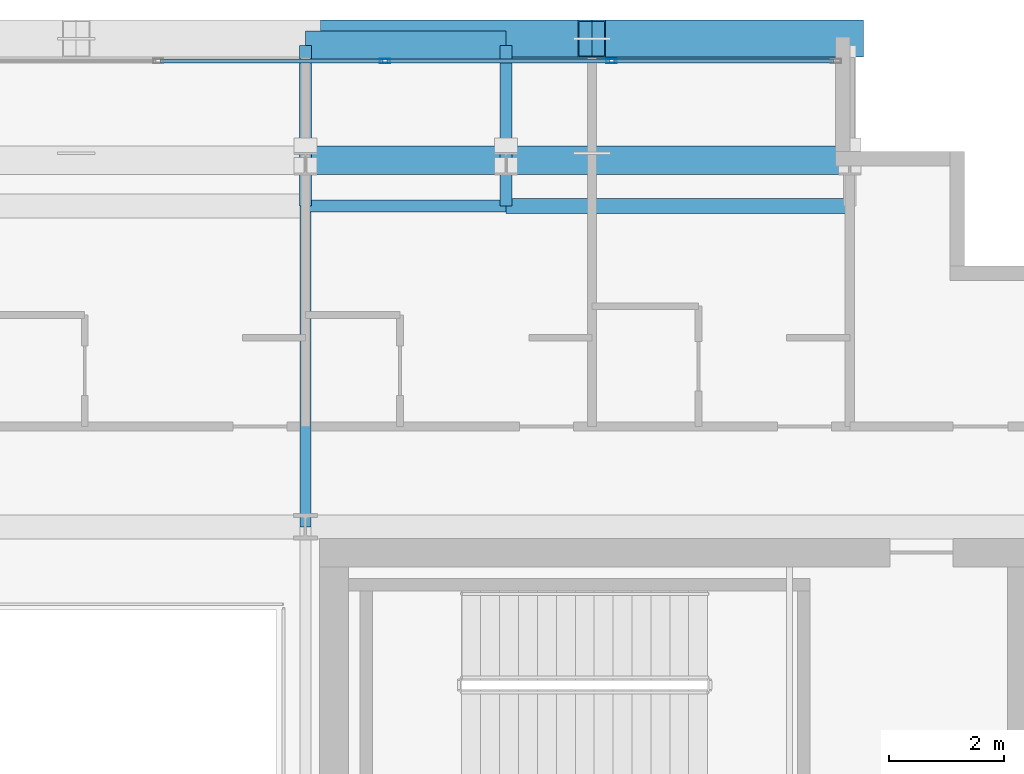
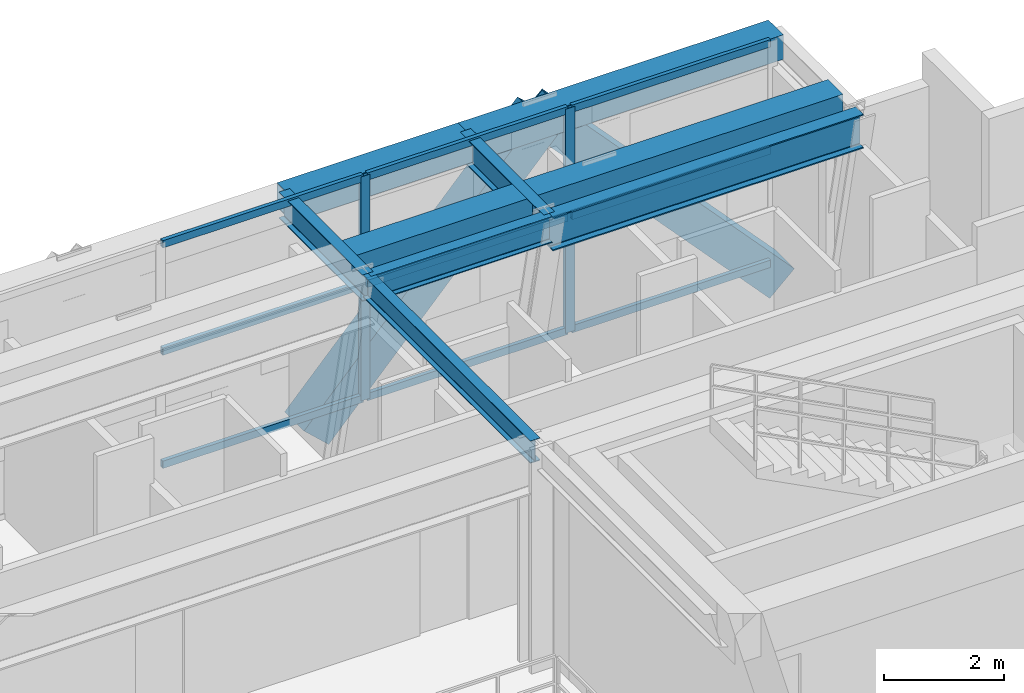
# One storey, part 17 of 31: 13 members, 9 beams, 1 element without a shape of its own.
"""IFC4 building model written with IfcOpenShell, lengths in metres."""

from ifc_helpers import new_model, si_unit, direction, frame, origin, origin_2d, place, context, subcontext, project, spatial, hollow_rectangle, i_section, extrude, source, transform, mapped, material, layer, layer_set, material_profile, profile_set, type_object, element, aggregate, save


model = new_model("IFC4")

# Units and contexts
model_context = context("Model", 3, precision=1e-05, world=origin(), true_north=direction((0.0, 1.0)))
body_context = subcontext(model_context, "Body", "Model", "MODEL_VIEW")
ifc_project = project(units=[si_unit("LENGTHUNIT", "METRE"), si_unit("AREAUNIT", "SQUARE_METRE"), si_unit("VOLUMEUNIT", "CUBIC_METRE"), si_unit("PLANEANGLEUNIT", "RADIAN"), si_unit("MASSUNIT", "GRAM", prefix="KILO")], contexts=[model_context])

# Site, building, storey
site_placement = place(None, origin())
site = spatial("IfcSite", under=ifc_project, at=site_placement, CompositionType="ELEMENT")
building_placement = place(site_placement, origin())
building = spatial("IfcBuilding", under=site, at=building_placement, Name="Ocotamira Hotel", CompositionType="ELEMENT")
storey_placement = place(building_placement, frame((0.0, 0.0, 228.0)))
storey = spatial("IfcBuildingStorey", under=building, at=storey_placement, Name="L57", CompositionType="ELEMENT", Elevation=228.0)

# Beams
ifc_material_1 = material(Name="Steel ASTM A992 Grade 50", Category="steel")
ifc_material_profile_1 = material_profile(ifc_material_1, i_section(OverallWidth=0.256103515625, OverallDepth=0.693115234375, WebThickness=0.014404296875, FlangeThickness=0.023681640625, FilletRadius=0.01611328125, at=origin_2d()), Name="W27X114")
ifc_profile_set_1 = profile_set([ifc_material_profile_1], Name="Steel ASTM A992 Grade 50")
beam_type_1 = type_object("IfcBeamType", Name="BM-PRIM-W27X114", PredefinedType="BEAM", material=ifc_profile_set_1)
shared_shape_1 = source(origin(), body_context, "Body", "SweptSolid", [
    extrude(i_section(OverallWidth=0.256103515625, OverallDepth=0.693115234375, WebThickness=0.014404296875, FlangeThickness=0.023681640625, FilletRadius=0.01611328125, at=origin_2d()), origin(), (0.0, 0.0, 1.0), 6.0),
])
beam_1_placement = place(storey_placement, frame((44.0, 43.050048828125, 4.2333984375), z_axis=(1.0, 0.0, 0.0), x_axis=(0.0, 1.0, 0.0)))
element("IfcBeam", 1, at=beam_1_placement, inside=storey, type_object=beam_type_1, Name="L57 Girder Y43.05 X44-50", PredefinedType="BEAM", context=body_context, shape_type="MappedRepresentation", body=[
    mapped(shared_shape_1, transform((0.0, 0.0, 0.0), scale=1.0)),
])
ifc_material_profile_2 = material_profile(ifc_material_1, i_section(OverallWidth=0.2099609375, OverallDepth=0.537109375, WebThickness=0.010986328125, FlangeThickness=0.017333984375, FilletRadius=0.012939453125, at=origin_2d()), Name="W21X68")
ifc_profile_set_2 = profile_set([ifc_material_profile_2], Name="Steel ASTM A992 Grade 50")
beam_type_2 = type_object("IfcBeamType", Name="BM-SEC-W21X68", PredefinedType="JOIST", material=ifc_profile_set_2)
shared_shape_2 = source(origin(), body_context, "Body", "SweptSolid", [
    extrude(i_section(OverallWidth=0.2099609375, OverallDepth=0.537109375, WebThickness=0.010986328125, FlangeThickness=0.017333984375, FilletRadius=0.012939453125, at=origin_2d()), origin(), (0.0, 0.0, 1.0), 3.5),
])
beam_2_placement = place(storey_placement, frame((40.5, 43.050048828125, 4.3115234375), z_axis=(1.0, 0.0, 0.0), x_axis=(0.0, 1.0, 0.0)))
element("IfcBeam", 2, at=beam_2_placement, inside=storey, type_object=beam_type_2, Name="L57 Girder Y43.05 X40.5-44", PredefinedType="JOIST", context=body_context, shape_type="MappedRepresentation", body=[
    mapped(shared_shape_2, transform((0.0, 0.0, 0.0), scale=1.0)),
])
ifc_material_2 = material(Name="Steel ASTM A500 Grade C", Category="steel")
ifc_material_profile_3 = material_profile(ifc_material_2, hollow_rectangle(XDim=0.5, YDim=0.5, WallThickness=0.02001953125, at=origin_2d()), Name="HSS500X500X20")
ifc_profile_set_3 = profile_set([ifc_material_profile_3], Name="Steel ASTM A500 Grade C")
beam_type_3 = type_object("IfcBeamType", Name="BM-SPAN-HSS500", PredefinedType="USERDEFINED", material=ifc_profile_set_3)
shared_shape_3 = source(origin(), body_context, "Body", "SweptSolid", [
    extrude(hollow_rectangle(XDim=0.5, YDim=0.5, WallThickness=0.02001953125, at=origin_2d()), origin(), (0.0, 0.0, 1.0), 6.0),
])
for number, where, z_axis, x_axis, name in (
    (3, (44.0, 43.85009765625, 4.330078125), (1.0, 0.0, 0.0), (0.0, 1.0, 0.0), "L57 Inner Setback Spandrel N X44"),
    (4, (44.0, 45.85009765625, 4.330078125), (1.0, 0.0, 0.0), (0.0, 1.0, 0.0), "L57 Edge Spandrel N X44-50"),
):
    element("IfcBeam", number, at=place(storey_placement, frame(where, z_axis=z_axis, x_axis=x_axis)), inside=storey, type_object=beam_type_3, Name=name, ObjectType="SPANDREL", PredefinedType="USERDEFINED", context=body_context, shape_type="MappedRepresentation", body=[
        mapped(shared_shape_3, transform((0.0, 0.0, 0.0), scale=1.0)),
    ])
shared_shape_4 = source(origin(), body_context, "Body", "SweptSolid", [
    extrude(hollow_rectangle(XDim=0.5, YDim=0.5, WallThickness=0.02001953125, at=origin_2d()), origin(), (0.0, 0.0, 1.0), 3.5),
])
for number, where, z_axis, x_axis, name in (
    (5, (40.5, 43.85009765625, 4.330078125), (1.0, 0.0, 0.0), (0.0, 1.0, 0.0), "L57 Inner Setback Spandrel N X40.5"),
    (6, (40.5, 45.85009765625, 4.330078125), (1.0, 0.0, 0.0), (0.0, 1.0, 0.0), "L57 Edge Spandrel N X40.5-44"),
):
    element("IfcBeam", number, at=place(storey_placement, frame(where, z_axis=z_axis, x_axis=x_axis)), inside=storey, type_object=beam_type_3, Name=name, ObjectType="SPANDREL", PredefinedType="USERDEFINED", context=body_context, shape_type="MappedRepresentation", body=[
        mapped(shared_shape_4, transform((0.0, 0.0, 0.0), scale=1.0)),
    ])
shared_shape_5 = source(origin(), body_context, "Body", "SweptSolid", [
    extrude(i_section(OverallWidth=0.2099609375, OverallDepth=0.537109375, WebThickness=0.010986328125, FlangeThickness=0.017333984375, FilletRadius=0.012939453125, at=origin_2d()), origin(), (0.0, 0.0, 1.0), 2.800048828125),
])
for number, where, z_axis, x_axis, name in (
    (7, (40.5, 43.050048828125, 4.3115234375), (0.0, 1.0, 0.0), (-1.0, 0.0, 0.0), "L57 North Edge Header X40.5"),
    (8, (44.0, 43.050048828125, 4.3115234375), (0.0, 1.0, 0.0), (-1.0, 0.0, 0.0), "L57 North Edge Header X44"),
):
    element("IfcBeam", number, at=place(storey_placement, frame(where, z_axis=z_axis, x_axis=x_axis)), inside=storey, type_object=beam_type_2, Name=name, PredefinedType="JOIST", context=body_context, shape_type="MappedRepresentation", body=[
        mapped(shared_shape_5, transform((0.0, 0.0, 0.0), scale=1.0)),
    ])
ifc_material_profile_4 = material_profile(ifc_material_1, i_section(OverallWidth=0.18994140625, OverallDepth=0.45703125, WebThickness=0.009033203125, FlangeThickness=0.014404296875, FilletRadius=0.010009765625, at=origin_2d()), Name="W18X50")
ifc_profile_set_4 = profile_set([ifc_material_profile_4], Name="Steel ASTM A992 Grade 50")
beam_type_4 = type_object("IfcBeamType", Name="BM-SEC-W18X50", PredefinedType="JOIST", material=ifc_profile_set_4)
shared_shape_6 = source(origin(), body_context, "Body", "SweptSolid", [
    extrude(i_section(OverallWidth=0.18994140625, OverallDepth=0.45703125, WebThickness=0.009033203125, FlangeThickness=0.014404296875, FilletRadius=0.010009765625, at=origin_2d()), origin(), (0.0, 0.0, 1.0), 5.60009765625),
])
beam_3_placement = place(storey_placement, frame((40.5, 37.449951171875, 4.3515625), z_axis=(0.0, 1.0, 0.0), x_axis=(-1.0, 0.0, 0.0)))
element("IfcBeam", 9, at=beam_3_placement, inside=storey, type_object=beam_type_4, Name="L57 Beam X40.5 Y37.45-43.05", PredefinedType="JOIST", context=body_context, shape_type="MappedRepresentation", body=[
    mapped(shared_shape_6, transform((0.0, 0.0, 0.0), scale=1.0)),
])

# Members
ifc_material_3 = material(Name="Pale-metal coated steel ASTM A913 Grade 65", Category="steel")
ifc_material_profile_5 = material_profile(ifc_material_3, hollow_rectangle(XDim=0.64990234375, YDim=0.64990234375, WallThickness=0.02197265625, at=origin_2d()), Name="BOX650X650X22")
ifc_profile_set_5 = profile_set([ifc_material_profile_5], Name="Pale-metal coated steel ASTM A913 Grade 65")
member_type_1 = type_object("IfcMemberType", Name="MEM-EXO-BOX650", PredefinedType="BRACE", material=ifc_profile_set_5)
shared_shape_7 = source(origin(), body_context, "Body", "SweptSolid", [
    extrude(hollow_rectangle(XDim=0.64990234375, YDim=0.64990234375, WallThickness=0.02197265625, at=origin_2d()), origin(), (0.0, 0.0, 1.0), 6.62353515625),
])
for number, where, z_axis, x_axis, name in (
    (10, (41.0, 45.969970703125, -0.530029296875), (0.679399946256, 0.0, 0.733768160271), (0.0, 1.0, 0.0), "L57 Exoskeleton Diagrid N3.1"),
    (11, (50.0, 45.969970703125, -0.530029296875), (-0.679399946256, 0.0, 0.733768160271), (0.0, -1.0, 0.0), "L57 Exoskeleton Diagrid N3.2"),
):
    element("IfcMember", number, at=place(storey_placement, frame(where, z_axis=z_axis, x_axis=x_axis)), inside=storey, type_object=member_type_1, Name=name, PredefinedType="BRACE", context=body_context, shape_type="MappedRepresentation", body=[
        mapped(shared_shape_7, transform((0.0, 0.0, 0.0), scale=1.0)),
    ])

# Curtain wall, members
ifc_material_4 = material(Name="Anodised pale-metal aluminium and solar glass", Category="aluminium")
ifc_layer = layer(ifc_material_4, 0.239990234375)
ifc_layer_set = layer_set([ifc_layer], Name="Anodised pale-metal aluminium and solar glass")
curtain_wall_type = type_object("IfcCurtainWallType", Name="CW-SYS5-SKY", PredefinedType="NOTDEFINED", material=ifc_layer_set)
curtain_wall_placement = place(storey_placement, origin())
curtain_wall = element("IfcCurtainWall", 12, at=curtain_wall_placement, inside=storey, type_object=curtain_wall_type, Name="L57 Curtain Wall CW-5 CW-L57-N", PredefinedType="NOTDEFINED")
ifc_material_5 = material(Name="Anodised pale-metal aluminium 6063-T6", Category="aluminium")
ifc_material_profile_6 = material_profile(ifc_material_5, hollow_rectangle(XDim=0.074951171875, YDim=0.14990234375, WallThickness=0.006103515625, at=origin_2d()), Name="HSS150X75X6")
ifc_profile_set_6 = profile_set([ifc_material_profile_6], Name="Anodised pale-metal aluminium 6063-T6")
member_type_2 = type_object("IfcMemberType", Name="CWT-150X75", PredefinedType="USERDEFINED", material=ifc_profile_set_6)
shared_shape_8 = source(origin(), body_context, "Body", "SweptSolid", [
    extrude(hollow_rectangle(XDim=0.074951171875, YDim=0.14990234375, WallThickness=0.006103515625, at=origin_2d()), origin(), (0.0, 0.0, 1.0), 3.83544921875),
])
member_1_placement = place(storey_placement, frame((45.884521484375, 45.580078125, 0.03759765625), z_axis=(1.0, 0.0, 0.0), x_axis=(0.0, 1.0, 0.0)))
member_1 = element("IfcMember", 13, at=member_1_placement, type_object=member_type_2, Name="CW-5 transom 9.1", ObjectType="TRANSOM", PredefinedType="USERDEFINED", context=body_context, shape_type="MappedRepresentation", body=[
    mapped(shared_shape_8, transform((0.0, 0.0, 0.0), scale=1.0)),
])
member_2_placement = place(storey_placement, frame((45.884521484375, 45.580078125, 2.35009765625), z_axis=(1.0, 0.0, 0.0), x_axis=(0.0, 1.0, 0.0)))
member_2 = element("IfcMember", 14, at=member_2_placement, type_object=member_type_2, Name="CW-5 transom 9.2", ObjectType="TRANSOM", PredefinedType="USERDEFINED", context=body_context, shape_type="MappedRepresentation", body=[
    mapped(shared_shape_8, transform((0.0, 0.0, 0.0), scale=1.0)),
])
member_3_placement = place(storey_placement, frame((45.884521484375, 45.580078125, 4.54248046875), z_axis=(1.0, 0.0, 0.0), x_axis=(0.0, 1.0, 0.0)))
member_3 = element("IfcMember", 15, at=member_3_placement, type_object=member_type_2, Name="CW-5 transom 9.3", ObjectType="TRANSOM", PredefinedType="USERDEFINED", context=body_context, shape_type="MappedRepresentation", body=[
    mapped(shared_shape_8, transform((0.0, 0.0, 0.0), scale=1.0)),
])
shared_shape_9 = source(origin(), body_context, "Body", "SweptSolid", [
    extrude(hollow_rectangle(XDim=0.074951171875, YDim=0.14990234375, WallThickness=0.006103515625, at=origin_2d()), origin(), (0.0, 0.0, 1.0), 3.87548828125),
])
member_4_placement = place(storey_placement, frame((37.973388671875, 45.580078125, 0.03759765625), z_axis=(1.0, 0.0, 0.0), x_axis=(0.0, 1.0, 0.0)))
member_4 = element("IfcMember", 16, at=member_4_placement, type_object=member_type_2, Name="CW-5 transom 7.1", ObjectType="TRANSOM", PredefinedType="USERDEFINED", context=body_context, shape_type="MappedRepresentation", body=[
    mapped(shared_shape_9, transform((0.0, 0.0, 0.0), scale=1.0)),
])
member_5_placement = place(storey_placement, frame((37.973388671875, 45.580078125, 2.35009765625), z_axis=(1.0, 0.0, 0.0), x_axis=(0.0, 1.0, 0.0)))
member_5 = element("IfcMember", 17, at=member_5_placement, type_object=member_type_2, Name="CW-5 transom 7.2", ObjectType="TRANSOM", PredefinedType="USERDEFINED", context=body_context, shape_type="MappedRepresentation", body=[
    mapped(shared_shape_9, transform((0.0, 0.0, 0.0), scale=1.0)),
])
member_6_placement = place(storey_placement, frame((37.973388671875, 45.580078125, 4.54248046875), z_axis=(1.0, 0.0, 0.0), x_axis=(0.0, 1.0, 0.0)))
member_6 = element("IfcMember", 18, at=member_6_placement, type_object=member_type_2, Name="CW-5 transom 7.3", ObjectType="TRANSOM", PredefinedType="USERDEFINED", context=body_context, shape_type="MappedRepresentation", body=[
    mapped(shared_shape_9, transform((0.0, 0.0, 0.0), scale=1.0)),
])
member_7_placement = place(storey_placement, frame((41.928955078125, 45.580078125, 0.03759765625), z_axis=(1.0, 0.0, 0.0), x_axis=(0.0, 1.0, 0.0)))
member_7 = element("IfcMember", 19, at=member_7_placement, type_object=member_type_2, Name="CW-5 transom 8.1", ObjectType="TRANSOM", PredefinedType="USERDEFINED", context=body_context, shape_type="MappedRepresentation", body=[
    mapped(shared_shape_9, transform((0.0, 0.0, 0.0), scale=1.0)),
])
member_8_placement = place(storey_placement, frame((41.928955078125, 45.580078125, 2.35009765625), z_axis=(1.0, 0.0, 0.0), x_axis=(0.0, 1.0, 0.0)))
member_8 = element("IfcMember", 20, at=member_8_placement, type_object=member_type_2, Name="CW-5 transom 8.2", ObjectType="TRANSOM", PredefinedType="USERDEFINED", context=body_context, shape_type="MappedRepresentation", body=[
    mapped(shared_shape_9, transform((0.0, 0.0, 0.0), scale=1.0)),
])
member_9_placement = place(storey_placement, frame((41.928955078125, 45.580078125, 4.54248046875), z_axis=(1.0, 0.0, 0.0), x_axis=(0.0, 1.0, 0.0)))
member_9 = element("IfcMember", 21, at=member_9_placement, type_object=member_type_2, Name="CW-5 transom 8.3", ObjectType="TRANSOM", PredefinedType="USERDEFINED", context=body_context, shape_type="MappedRepresentation", body=[
    mapped(shared_shape_9, transform((0.0, 0.0, 0.0), scale=1.0)),
])
ifc_material_profile_7 = material_profile(ifc_material_5, hollow_rectangle(XDim=0.080078125, YDim=0.179931640625, WallThickness=0.006103515625, at=origin_2d()), Name="HSS180X80X6")
ifc_profile_set_7 = profile_set([ifc_material_profile_7], Name="Anodised pale-metal aluminium 6063-T6")
member_type_3 = type_object("IfcMemberType", Name="CWM-180X75", PredefinedType="MULLION", material=ifc_profile_set_7)
shared_shape_10 = source(origin(), body_context, "Body", "SweptSolid", [
    extrude(hollow_rectangle(XDim=0.080078125, YDim=0.179931640625, WallThickness=0.006103515625, at=origin_2d()), origin(), (0.0, 0.0, 1.0), 4.580078125),
])
member_10_placement = place(storey_placement, frame((41.888916015625, 45.580078125, 0.0), z_axis=(0.0, 0.0, 1.0), x_axis=(0.0, 1.0, 0.0)))
member_10 = element("IfcMember", 22, at=member_10_placement, type_object=member_type_3, Name="CW-5 mullion 8", PredefinedType="MULLION", context=body_context, shape_type="MappedRepresentation", body=[
    mapped(shared_shape_10, transform((0.0, 0.0, 0.0), scale=1.0)),
])
member_11_placement = place(storey_placement, frame((45.844482421875, 45.580078125, 0.0), z_axis=(0.0, 0.0, 1.0), x_axis=(0.0, 1.0, 0.0)))
member_11 = element("IfcMember", 23, at=member_11_placement, type_object=member_type_3, Name="CW-5 mullion 9", PredefinedType="MULLION", context=body_context, shape_type="MappedRepresentation", body=[
    mapped(shared_shape_10, transform((0.0, 0.0, 0.0), scale=1.0)),
])
aggregate(curtain_wall, [member_10, member_11, member_4, member_5, member_6, member_7, member_8, member_9, member_1, member_2, member_3])

save(model, "model.ifc")
